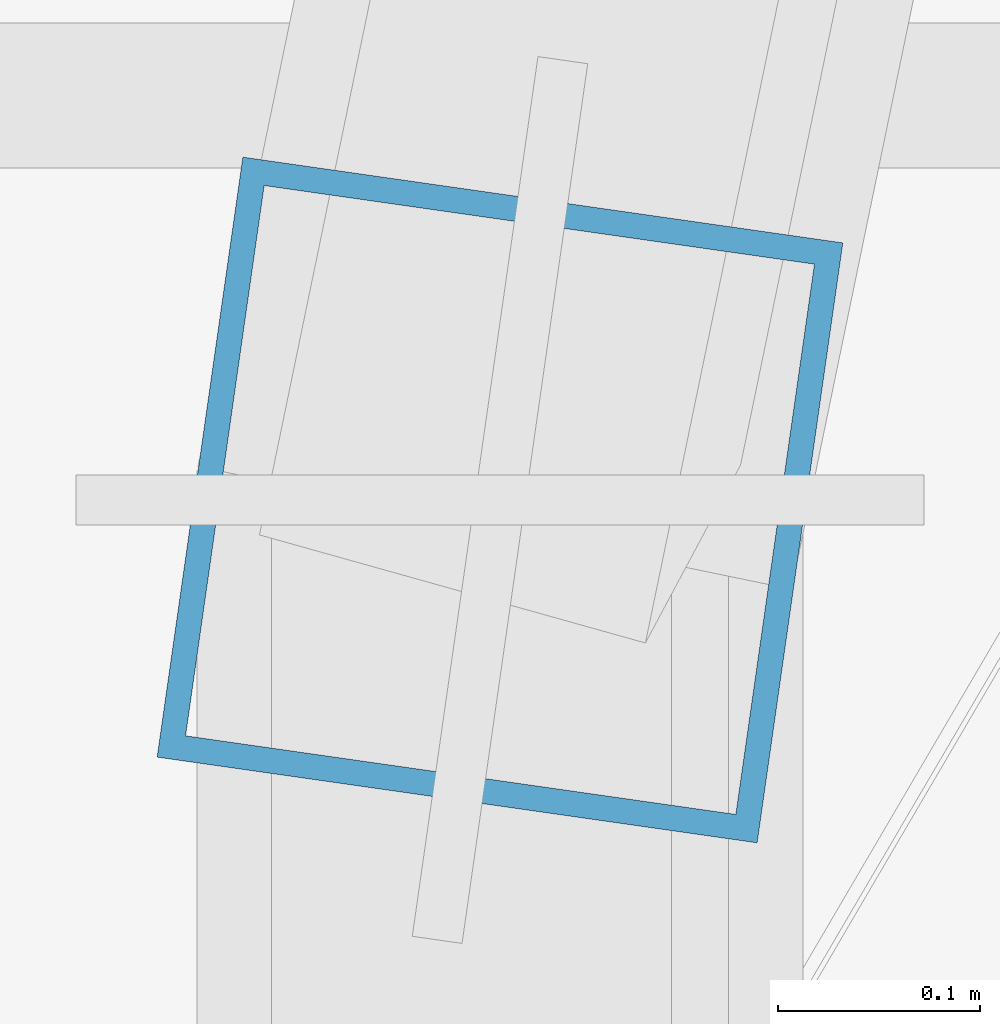
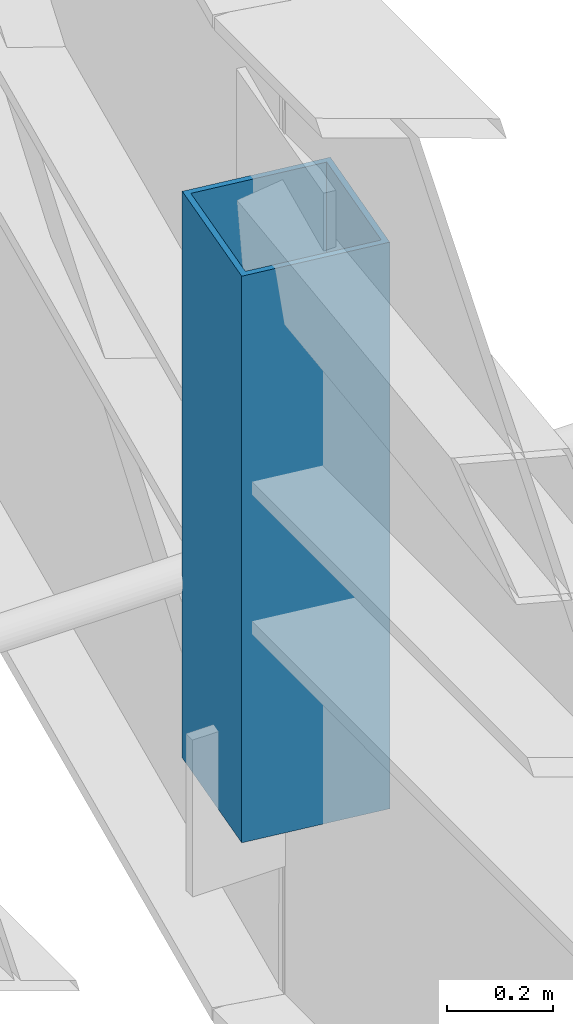
# One storey, part 36 of 184: 1 member.
"""IFC4 building model written with IfcOpenShell, lengths in metres."""

from ifc_helpers import new_model, si_unit, direction, frame, origin, origin_2d, place, context, subcontext, project, spatial, hollow_rectangle, extrude, material, material_profile, profile_set, type_object, element, save


model = new_model("IFC4")

# Units and contexts
model_context = context("Model", 3, precision=1e-05, world=origin(), true_north=direction((0.0, 1.0)))
body_context = subcontext(model_context, "Body", "Model", "MODEL_VIEW")
ifc_project = project(units=[si_unit("LENGTHUNIT", "METRE"), si_unit("AREAUNIT", "SQUARE_METRE"), si_unit("VOLUMEUNIT", "CUBIC_METRE"), si_unit("PLANEANGLEUNIT", "RADIAN"), si_unit("MASSUNIT", "GRAM", prefix="KILO")], contexts=[model_context])

# Site, building, storey
site_placement = place(None, origin())
site = spatial("IfcSite", under=ifc_project, at=site_placement, CompositionType="ELEMENT")
building_placement = place(site_placement, origin())
building = spatial("IfcBuilding", under=site, at=building_placement, Name="Kalgoora Escarpment Arena", CompositionType="ELEMENT")
storey_placement = place(building_placement, frame((0.0, 0.0, 27.60009765625)))
storey = spatial("IfcBuildingStorey", under=building, at=storey_placement, Name="Roof Level", CompositionType="ELEMENT", Elevation=27.60009765625)

# Member
ifc_material = material(Name="Structural steel C450 (450 MPa)", Category="steel")
ifc_material_profile = material_profile(ifc_material, hollow_rectangle(XDim=0.300048828125, YDim=0.300048828125, WallThickness=0.012451171875, at=origin_2d()))
ifc_profile_set = profile_set([ifc_material_profile], Name="Structural steel C450 (450 MPa)")
member_type = type_object("IfcMemberType", Name="MEM-TRUSS-POST", PredefinedType="POST", material=ifc_profile_set)
member_placement = place(storey_placement, frame((92.39990234375, 34.39990234375, -1.650146484375), z_axis=(0.0, 0.0, 1.0), x_axis=(0.141419587774, 0.989949746297, 0.0)))
element("IfcMember", 1, at=member_placement, inside=storey, type_object=member_type, Name="Radial ROOF TRUSS spine 7 post 1", PredefinedType="POST", context=body_context, shape_type="SweptSolid", body=[
    extrude(hollow_rectangle(XDim=0.300048828125, YDim=0.300048828125, WallThickness=0.012451171875, at=origin_2d()), origin(), (0.0, 0.0, 1.0), 1.300048828125),
])

save(model, "model.ifc")
